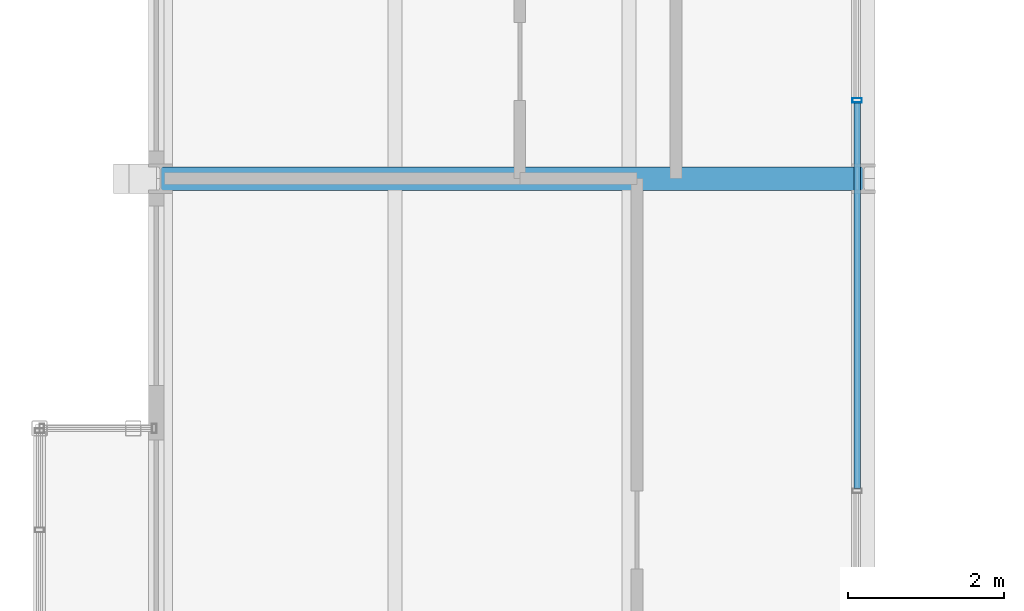
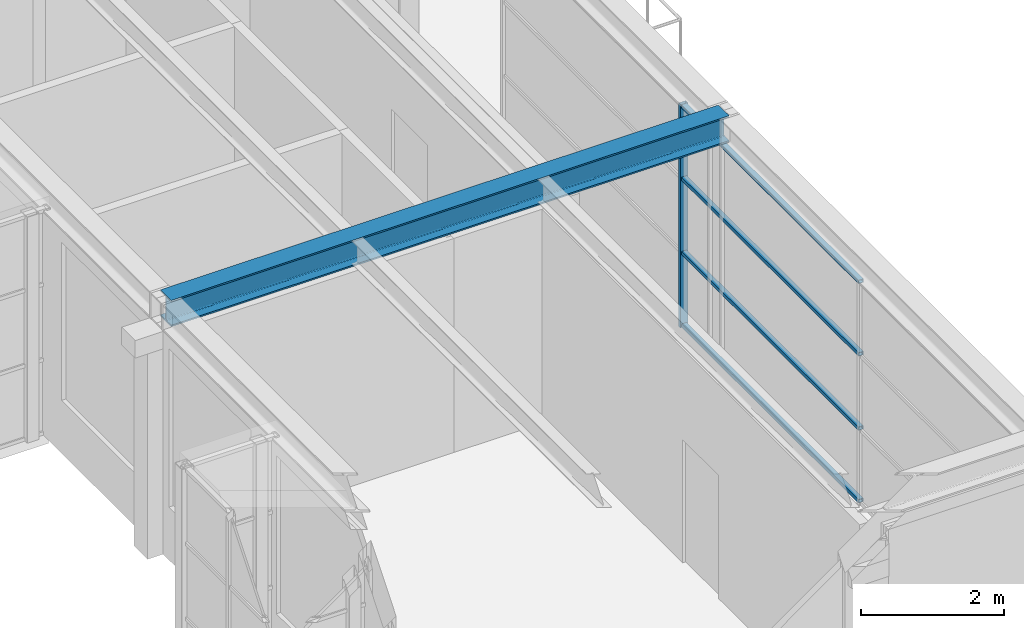
# One storey, part 22 of 111: 5 members, 1 beam, 1 element without a shape of its own.
"""IFC4 building model written with IfcOpenShell, lengths in metres."""

from ifc_helpers import new_model, si_unit, direction, frame, origin, origin_2d, place, context, subcontext, project, spatial, hollow_rectangle, i_section, extrude, material, material_profile, profile_set, type_object, element, aggregate, save


model = new_model("IFC4")

# Units and contexts
model_context = context("Model", 3, precision=1e-05, world=origin(), true_north=direction((0.0, 1.0)))
body_context = subcontext(model_context, "Body", "Model", "MODEL_VIEW")
ifc_project = project(units=[si_unit("LENGTHUNIT", "METRE"), si_unit("AREAUNIT", "SQUARE_METRE"), si_unit("VOLUMEUNIT", "CUBIC_METRE"), si_unit("PLANEANGLEUNIT", "RADIAN"), si_unit("MASSUNIT", "GRAM", prefix="KILO")], contexts=[model_context])

# Site, building, storey
site_placement = place(None, origin())
site = spatial("IfcSite", under=ifc_project, at=site_placement, CompositionType="ELEMENT")
building_placement = place(site_placement, origin())
building = spatial("IfcBuilding", under=site, at=building_placement, Name="Kallimachos Central Library", CompositionType="ELEMENT")
storey_placement = place(building_placement, frame((0.0, 0.0, 14.39990234375)))
storey = spatial("IfcBuildingStorey", under=building, at=storey_placement, Name="L03", CompositionType="ELEMENT", Elevation=14.39990234375)

# Curtain wall, members
ifc_material_1 = material(Name="Aluminium and laminated glass", Category="aluminium")
curtain_wall_type = type_object("IfcCurtainWallType", Name="Atrium glazed screen", PredefinedType="NOTDEFINED", material=ifc_material_1)
curtain_wall_placement = place(storey_placement, origin())
curtain_wall = element("IfcCurtainWall", 1, at=curtain_wall_placement, inside=storey, type_object=curtain_wall_type, Name="L03 atrium screen W", PredefinedType="NOTDEFINED")
ifc_material_2 = material(Name="Anodised aluminium", Category="aluminium")
ifc_material_profile_1 = material_profile(ifc_material_2, hollow_rectangle(XDim=0.06005859375, YDim=0.1201171875, WallThickness=0.00390625, at=origin_2d()), Name="ALU MULLION 60x120")
ifc_profile_set_1 = profile_set([ifc_material_profile_1], Name="Anodised aluminium")
member_type_1 = type_object("IfcMemberType", Name="Atrium screen mullion", PredefinedType="MULLION", material=ifc_profile_set_1)
member_1_placement = place(storey_placement, frame((74.419921875, 67.0, 0.0), z_axis=(0.0, 0.0, 1.0), x_axis=(0.0, 1.0, 0.0)))
member_1 = element("IfcMember", 2, at=member_1_placement, type_object=member_type_1, Name="CW mullion 3", PredefinedType="MULLION", context=body_context, shape_type="SweptSolid", body=[
    extrude(hollow_rectangle(XDim=0.06005859375, YDim=0.1201171875, WallThickness=0.00390625, at=origin_2d()), origin(), (0.0, 0.0, 1.0), 3.800048828125),
])
ifc_material_3 = material(Name="Anodised aluminium", Category="aluminium")
ifc_material_profile_2 = material_profile(ifc_material_3, hollow_rectangle(XDim=0.06005859375, YDim=0.080078125, WallThickness=0.00390625, at=origin_2d()), Name="ALU TRANSOM 60x80")
ifc_profile_set_2 = profile_set([ifc_material_profile_2], Name="Anodised aluminium")
member_type_2 = type_object("IfcMemberType", Name="Atrium screen transom", PredefinedType="USERDEFINED", material=ifc_profile_set_2)
member_2_placement = place(storey_placement, frame((74.419921875, 62.030029296875, 0.030029296875), z_axis=(0.0, 1.0, 0.0), x_axis=(0.0, 0.0, 1.0)))
member_2 = element("IfcMember", 3, at=member_2_placement, type_object=member_type_2, Name="CW transom 2.1", ObjectType="TRANSOM", PredefinedType="USERDEFINED", context=body_context, shape_type="SweptSolid", body=[
    extrude(hollow_rectangle(XDim=0.06005859375, YDim=0.080078125, WallThickness=0.00390625, at=origin_2d()), origin(), (0.0, 0.0, 1.0), 4.93994140625),
])
member_3_placement = place(storey_placement, frame((74.419921875, 62.030029296875, 1.266845703125), z_axis=(0.0, 1.0, 0.0), x_axis=(0.0, 0.0, 1.0)))
member_3 = element("IfcMember", 4, at=member_3_placement, type_object=member_type_2, Name="CW transom 2.2", ObjectType="TRANSOM", PredefinedType="USERDEFINED", context=body_context, shape_type="SweptSolid", body=[
    extrude(hollow_rectangle(XDim=0.06005859375, YDim=0.080078125, WallThickness=0.00390625, at=origin_2d()), origin(), (0.0, 0.0, 1.0), 4.93994140625),
])
member_4_placement = place(storey_placement, frame((74.419921875, 62.030029296875, 2.533447265625), z_axis=(0.0, 1.0, 0.0), x_axis=(0.0, 0.0, 1.0)))
member_4 = element("IfcMember", 5, at=member_4_placement, type_object=member_type_2, Name="CW transom 2.3", ObjectType="TRANSOM", PredefinedType="USERDEFINED", context=body_context, shape_type="SweptSolid", body=[
    extrude(hollow_rectangle(XDim=0.06005859375, YDim=0.080078125, WallThickness=0.00390625, at=origin_2d()), origin(), (0.0, 0.0, 1.0), 4.93994140625),
])
member_5_placement = place(storey_placement, frame((74.419921875, 62.030029296875, 3.77001953125), z_axis=(0.0, 1.0, 0.0), x_axis=(0.0, 0.0, 1.0)))
member_5 = element("IfcMember", 6, at=member_5_placement, type_object=member_type_2, Name="CW transom 2.4", ObjectType="TRANSOM", PredefinedType="USERDEFINED", context=body_context, shape_type="SweptSolid", body=[
    extrude(hollow_rectangle(XDim=0.06005859375, YDim=0.080078125, WallThickness=0.00390625, at=origin_2d()), origin(), (0.0, 0.0, 1.0), 4.93994140625),
])
aggregate(curtain_wall, [member_1, member_2, member_3, member_4, member_5])

# Beam
ifc_material_4 = material(Name="Steel S355J2", Category="steel")
ifc_material_profile_3 = material_profile(ifc_material_4, i_section(OverallWidth=0.300048828125, OverallDepth=0.449951171875, WebThickness=0.013916015625, FlangeThickness=0.02587890625, FilletRadius=0.027099609375, at=origin_2d()), Name="HEB 450")
ifc_profile_set_3 = profile_set([ifc_material_profile_3], Name="Steel S355J2")
beam_type = type_object("IfcBeamType", Name="HEB 450 beam", PredefinedType="BEAM", material=ifc_profile_set_3)
beam_placement = place(storey_placement, frame((65.5, 66.0, 4.025146484375), z_axis=(1.0, 0.0, 0.0), x_axis=(0.0, 1.0, 0.0)))
element("IfcBeam", 7, at=beam_placement, inside=storey, type_object=beam_type, Name="V4-BEM-L03-022", PredefinedType="BEAM", context=body_context, shape_type="SweptSolid", body=[
    extrude(i_section(OverallWidth=0.300048828125, OverallDepth=0.449951171875, WebThickness=0.013916015625, FlangeThickness=0.02587890625, FilletRadius=0.027099609375, at=origin_2d()), origin(), (0.0, 0.0, 1.0), 9.0),
])

save(model, "model.ifc")
